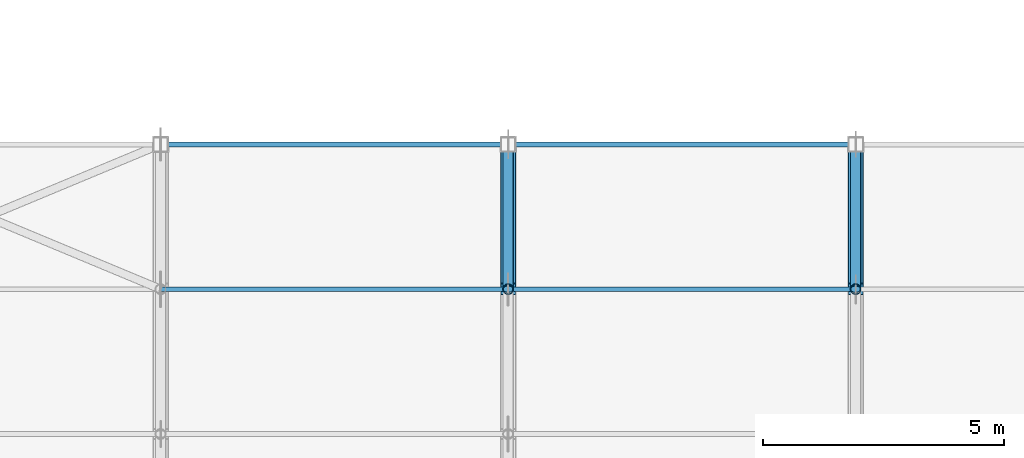
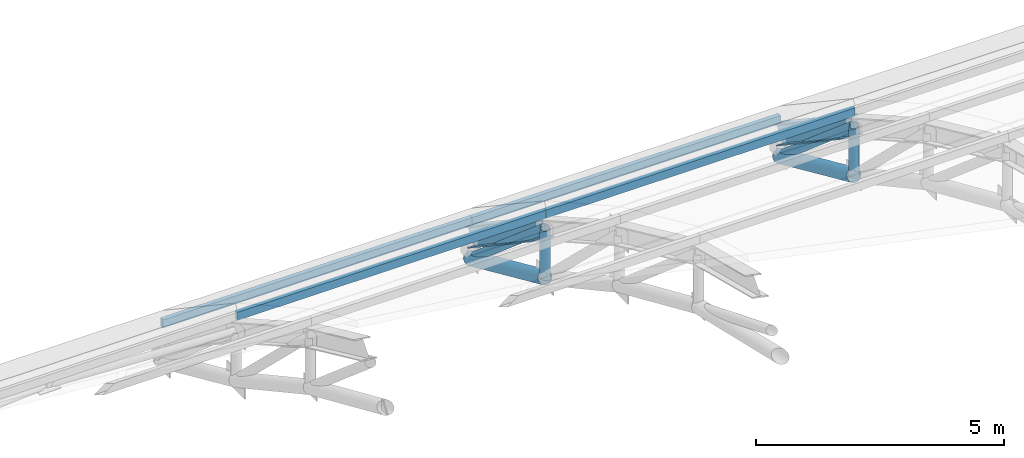
# One storey, part 23 of 63: 10 members, 2 beams.
"""IFC4 building model written with IfcOpenShell, lengths in metres."""

import ifcopenshell
import ifcopenshell.guid

model = None  # the IFC model being written
_history = None  # IfcOwnerHistory: only IFC2X3 demands one
_inside = {}  # id of a spatial element -> (the spatial element, [elements in it])
_under = {}  # id of a project, library or spatial element -> (it, [spatial elements below it])
_declared = {}  # id of a project -> (the project, [libraries it declares])
_typed = {}  # id of a type object -> (the type object, [elements of that type])
_made_of = {}  # id of a material, layer set ... -> (it, [elements and type objects made of it])


def new_model(schema):
    """Start an empty IFC model of exactly this schema.

    Asked for "IFC4X3", IfcOpenShell would pick the latest addendum, in which some entities
    have other attributes; the version numbers below select the first issue.
    IFC2X3 requires an IfcOwnerHistory on every rooted entity: one is made here for all.
    """
    global model, _history
    if schema == "IFC4X3":
        model = ifcopenshell.file(schema_version=(4, 3, 0, 0))
    else:
        model = ifcopenshell.file(schema=schema)
    _inside.clear()
    _under.clear()
    _declared.clear()
    _typed.clear()
    _made_of.clear()
    _history = None
    if model.schema == "IFC2X3":
        org = make("IfcOrganization", Name="unknown")
        user = make(
            "IfcPersonAndOrganization",
            ThePerson=make("IfcPerson", FamilyName="unknown"),
            TheOrganization=org,
        )
        app = make(
            "IfcApplication",
            ApplicationDeveloper=org,
            Version="unknown",
            ApplicationFullName="unknown",
            ApplicationIdentifier="unknown",
        )
        _history = make(
            "IfcOwnerHistory",
            OwningUser=user,
            OwningApplication=app,
            ChangeAction="ADDED",
            CreationDate=0,
        )
    return model


def make(cls, **values):
    """One entity of the class cls with the attributes given. An attribute that is None is left unset."""
    return model.create_entity(
        cls, **{name: value for name, value in values.items() if value is not None}
    )


def rooted(cls, **values):
    """An entity with a GlobalId (a new one), such as an element, a storey or a relation."""
    return make(cls, GlobalId=ifcopenshell.guid.new(), OwnerHistory=_history, **values)


def si_unit(unit_type, name, prefix=None):
    """IfcSIUnit, for example si_unit("LENGTHUNIT", "METRE", prefix="MILLI")."""
    return make("IfcSIUnit", UnitType=unit_type, Prefix=prefix, Name=name)


def assignment(units):
    """IfcUnitAssignment: the units of a project."""
    return None if units is None else make("IfcUnitAssignment", Units=units)


def point(xyz):
    """IfcCartesianPoint."""
    return None if xyz is None else make("IfcCartesianPoint", Coordinates=xyz)


def direction(xyz):
    """IfcDirection."""
    return None if xyz is None else make("IfcDirection", DirectionRatios=xyz)


def frame(location, z_axis=None, x_axis=None):
    """IfcAxis2Placement3D, a coordinate frame: its origin and axes. An axis left out is left unset."""
    return make(
        "IfcAxis2Placement3D",
        Location=point(location),
        Axis=direction(z_axis),
        RefDirection=direction(x_axis),
    )


def frame_2d(location, x_axis=None):
    """IfcAxis2Placement2D, a coordinate frame in the plane: its origin and x axis."""
    return make(
        "IfcAxis2Placement2D", Location=point(location), RefDirection=direction(x_axis)
    )


def origin():
    """The frame at (0, 0, 0) with its axes left unset."""
    return frame((0.0, 0.0, 0.0))


def origin_2d():
    """The frame at (0, 0) in the plane with its x axis left unset."""
    return frame_2d((0.0, 0.0))


def place(relative_to, where):
    """IfcLocalPlacement: puts the frame where relative to a parent placement (None: the world)."""
    return make(
        "IfcLocalPlacement", PlacementRelTo=relative_to, RelativePlacement=where
    )


def context(
    kind, dimensions, precision=None, world=None, true_north=None, identifier=None
):
    """IfcGeometricRepresentationContext, for example the 3D "Model" context."""
    return make(
        "IfcGeometricRepresentationContext",
        ContextIdentifier=identifier,
        ContextType=kind,
        CoordinateSpaceDimension=dimensions,
        Precision=precision,
        WorldCoordinateSystem=world,
        TrueNorth=true_north,
    )


def subcontext(parent, identifier, kind, view, scale=None):
    """IfcGeometricRepresentationSubContext, for example "Body" below "Model"."""
    return make(
        "IfcGeometricRepresentationSubContext",
        ContextIdentifier=identifier,
        ContextType=kind,
        ParentContext=parent,
        TargetScale=scale,
        TargetView=view,
    )


def project(units=None, contexts=None):
    """IfcProject with its units and contexts."""
    return rooted(
        "IfcProject",
        Name="project",
        RepresentationContexts=contexts,
        UnitsInContext=assignment(units),
    )


def spatial(cls, under=None, at=None, **own):
    """A site, building, storey or space (cls), placed at a placement, below another one or the project."""
    s = rooted(cls, ObjectPlacement=at, **own)
    if under is not None:
        _under.setdefault(under.id(), (under, []))[1].append(s)
    return s


def profile(cls, at=None, kind="AREA", **sizes):
    """A parametric profile (cls). Its sizes go by their IFC names, for example OverallWidth=200.0."""
    return make(cls, ProfileType=kind, Position=at, **sizes)


def hollow_rectangle(**sizes):
    """IfcRectangleHollowProfileDef."""
    return profile("IfcRectangleHollowProfileDef", **sizes)


def hollow_circle(**sizes):
    """IfcCircleHollowProfileDef."""
    return profile("IfcCircleHollowProfileDef", **sizes)


def i_section(**sizes):
    """IfcIShapeProfileDef."""
    return profile("IfcIShapeProfileDef", **sizes)


def extrude(swept, where, along, depth):
    """IfcExtrudedAreaSolid: the profile swept, set in the frame where, extruded along a direction by depth."""
    return make(
        "IfcExtrudedAreaSolid",
        SweptArea=swept,
        Position=where,
        ExtrudedDirection=direction(along),
        Depth=depth,
    )


def shape(context_of_items, identifier, shape_type, items):
    """IfcShapeRepresentation: the items that make up one representation, for example the "Body"."""
    return make(
        "IfcShapeRepresentation",
        ContextOfItems=context_of_items,
        RepresentationIdentifier=identifier,
        RepresentationType=shape_type,
        Items=items,
    )


def material(Name=None, Category=None):
    """IfcMaterial."""
    return make("IfcMaterial", Name=Name, Category=Category)


def material_profile(
    of_material, cross_section, Name=None, Category=None, Priority=None
):
    """IfcMaterialProfile: a cross section and its material."""
    return make(
        "IfcMaterialProfile",
        Name=Name,
        Material=of_material,
        Profile=cross_section,
        Priority=Priority,
        Category=Category,
    )


def profile_set(profiles, Name=None, composite=None):
    """IfcMaterialProfileSet."""
    return make(
        "IfcMaterialProfileSet",
        Name=Name,
        MaterialProfiles=profiles,
        CompositeProfile=composite,
    )


def made_of(thing, what):
    """Note that an element or type object is made of a material, layer set ...; save() writes the relation."""
    if what is not None:
        _made_of.setdefault(what.id(), (what, []))[1].append(thing)
    return thing


def type_object(cls, material=None, **own):
    """A type object (cls), such as IfcWallType, which elements share."""
    return made_of(rooted(cls, **own), material)


def element(
    cls,
    number,
    at=None,
    inside=None,
    cuts=None,
    type_object=None,
    material=None,
    context=None,
    identifier="Body",
    shape_type=None,
    held_by="IfcProductDefinitionShape",
    body=None,
    shapes=None,
    **own,
):
    """One element of the class cls, such as IfcWall. Its Tag is "e" and its number.

    at: its placement. inside: the storey or other place that contains it. cuts: it is an
    opening in that element (IfcRelVoidsElement). A single representation is given by context,
    identifier, shape_type and body (its items); several are given by shapes. held_by: the class
    of the entity that holds the representations. save() writes the other relations.
    """
    e = rooted(cls, Tag="e%d" % number, ObjectPlacement=at, **own)
    if body is not None:
        shapes = [shape(context, identifier, shape_type, body)]
    if shapes is not None:
        e.Representation = make(held_by, Representations=shapes)
    if inside is not None:
        _inside.setdefault(inside.id(), (inside, []))[1].append(e)
    if cuts is not None:
        rooted(
            "IfcRelVoidsElement", RelatingBuildingElement=cuts, RelatedOpeningElement=e
        )
    if type_object is not None:
        _typed.setdefault(type_object.id(), (type_object, []))[1].append(e)
    return made_of(e, material)


def aggregate(whole, parts):
    """IfcRelAggregates: a whole, such as a stair, and the parts it consists of."""
    return rooted("IfcRelAggregates", RelatingObject=whole, RelatedObjects=parts)


def save(model, path):
    """Write the relations noted so far, then the file.

    IfcRelAggregates (storeys below a building ...), IfcRelContainedInSpatialStructure (elements
    in a storey), IfcRelDefinesByType, IfcRelAssociatesMaterial and IfcRelDeclares: one each for
    every whole, place, type object, material and project.
    """
    for whole, parts in _under.values():
        aggregate(whole, parts)
    for where, things in _inside.values():
        rooted(
            "IfcRelContainedInSpatialStructure",
            RelatedElements=things,
            RelatingStructure=where,
        )
    for kind, things in _typed.values():
        rooted("IfcRelDefinesByType", RelatedObjects=things, RelatingType=kind)
    for what, things in _made_of.values():
        rooted("IfcRelAssociatesMaterial", RelatedObjects=things, RelatingMaterial=what)
    for by, libraries in _declared.values():
        rooted("IfcRelDeclares", RelatingContext=by, RelatedDefinitions=libraries)
    model.write(path)


model = new_model("IFC4")

# Units and contexts
model_context = context("Model", 3, precision=1e-05, world=origin(), true_north=direction((0.0, 1.0)))
body_context = subcontext(model_context, "Body", "Model", "MODEL_VIEW")
ifc_project = project(units=[si_unit("LENGTHUNIT", "METRE"), si_unit("AREAUNIT", "SQUARE_METRE"), si_unit("VOLUMEUNIT", "CUBIC_METRE"), si_unit("PLANEANGLEUNIT", "RADIAN"), si_unit("MASSUNIT", "GRAM", prefix="KILO")], contexts=[model_context])

# Site, building, storey
site_placement = place(None, origin())
site = spatial("IfcSite", under=ifc_project, at=site_placement, CompositionType="ELEMENT")
building_placement = place(site_placement, origin())
building = spatial("IfcBuilding", under=site, at=building_placement, Name="Solvadek Multi-Sports Hall", CompositionType="ELEMENT")
storey_placement = place(building_placement, frame((0.0, 0.0, 19.199951171875)))
storey = spatial("IfcBuildingStorey", under=building, at=storey_placement, Name="RF", CompositionType="ELEMENT", Elevation=19.199951171875)

# Members
ifc_material_1 = material(Name="Steel E350 (350 MPa)", Category="steel")
ifc_material_profile_1 = material_profile(ifc_material_1, hollow_circle(Radius=0.109619140625, WallThickness=0.010009765625, at=origin_2d()), Name="CHS 219.1x10")
ifc_profile_set_1 = profile_set([ifc_material_profile_1], Name="Steel E350 (350 MPa)")
member_type_1 = type_object("IfcMemberType", Name="STR-BRC-CHS219", PredefinedType="BRACE", material=ifc_profile_set_1)
member_1_placement = place(storey_placement, frame((100.800048828125, 39.0, -2.754150390625), z_axis=(0.0, 0.0, 1.0), x_axis=(1.0, 0.0, 0.0)))
element("IfcMember", 1, at=member_1_placement, inside=storey, type_object=member_type_1, Name="v1 Truss 3 Web Vertical 7", PredefinedType="BRACE", context=body_context, shape_type="SweptSolid", body=[
    extrude(hollow_circle(Radius=0.109619140625, WallThickness=0.010009765625, at=origin_2d()), origin(), (0.0, 0.0, 1.0), 1.20849609375),
])
member_2_placement = place(storey_placement, frame((100.800048828125, 39.0, -1.545654296875), z_axis=(0.0, 0.761413137307, -0.648266946818), x_axis=(-1.0, 0.0, 0.0)))
element("IfcMember", 2, at=member_2_placement, inside=storey, type_object=member_type_1, Name="v1 Truss 3 Web Diagonal 8", PredefinedType="BRACE", context=body_context, shape_type="SweptSolid", body=[
    extrude(hollow_circle(Radius=0.109619140625, WallThickness=0.010009765625, at=origin_2d()), origin(), (0.0, 0.0, 1.0), 3.93994140625),
])
member_3_placement = place(storey_placement, frame((108.0, 39.0, -2.754150390625), z_axis=(0.0, 0.0, 1.0), x_axis=(1.0, 0.0, 0.0)))
element("IfcMember", 3, at=member_3_placement, inside=storey, type_object=member_type_1, Name="v1 Truss 4 Web Vertical 7", PredefinedType="BRACE", context=body_context, shape_type="SweptSolid", body=[
    extrude(hollow_circle(Radius=0.109619140625, WallThickness=0.010009765625, at=origin_2d()), origin(), (0.0, 0.0, 1.0), 1.20849609375),
])
member_4_placement = place(storey_placement, frame((108.0, 39.0, -1.545654296875), z_axis=(0.0, 0.761413137307, -0.648266946818), x_axis=(-1.0, 0.0, 0.0)))
element("IfcMember", 4, at=member_4_placement, inside=storey, type_object=member_type_1, Name="v1 Truss 4 Web Diagonal 8", PredefinedType="BRACE", context=body_context, shape_type="SweptSolid", body=[
    extrude(hollow_circle(Radius=0.109619140625, WallThickness=0.010009765625, at=origin_2d()), origin(), (0.0, 0.0, 1.0), 3.93994140625),
])
ifc_material_profile_2 = material_profile(ifc_material_1, hollow_circle(Radius=0.161865234375, WallThickness=0.012451171875, at=origin_2d()), Name="CHS 323.9x12.5")
ifc_profile_set_2 = profile_set([ifc_material_profile_2], Name="Steel E350 (350 MPa)")
member_type_2 = type_object("IfcMemberType", Name="STR-CHD-CHS323", PredefinedType="CHORD", material=ifc_profile_set_2)
for number, where, z_axis, x_axis, name in (
    (5, (100.800048828125, 39.0, -2.754150390625), (0.0, 0.912409902676, -0.409277619104), (-1.0, 0.0, 0.0), "v1 Arched Truss 3 Bottom Chord 8"),
    (6, (108.0, 39.0, -2.754150390625), (0.0, 0.912409902676, -0.409277619104), (-1.0, 0.0, 0.0), "v1 Arched Truss 4 Bottom Chord 8"),
):
    element("IfcMember", number, at=place(storey_placement, frame(where, z_axis=z_axis, x_axis=x_axis)), inside=storey, type_object=member_type_2, Name=name, PredefinedType="CHORD", context=body_context, shape_type="SweptSolid", body=[
        extrude(hollow_circle(Radius=0.161865234375, WallThickness=0.012451171875, at=origin_2d()), origin(), (0.0, 0.0, 1.0), 3.2880859375),
    ])
ifc_material_2 = material(Name="Steel E250 (250 MPa)", Category="steel")
ifc_material_profile_3 = material_profile(ifc_material_2, hollow_rectangle(XDim=0.10009765625, YDim=0.199951171875, WallThickness=0.008056640625, at=origin_2d()), Name="RHS 200x100x8")
ifc_profile_set_3 = profile_set([ifc_material_profile_3], Name="Steel E250 (250 MPa)")
member_type_3 = type_object("IfcMemberType", Name="STR-PUR-RHS200", PredefinedType="PURLIN", material=ifc_profile_set_3)
for number, where, z_axis, x_axis, name in (
    (7, (93.60009765625, 39.0, -1.171142578125), (1.0, 0.0, 0.0), (0.0, 1.0, 0.0), "V1 Roof Purlin #17"),
    (8, (93.60009765625, 42.0, -3.17529296875), (1.0, 0.0, 0.0), (0.0, 1.0, 0.0), "V1 Roof Purlin #18"),
    (9, (100.800048828125, 39.0, -1.171142578125), (1.0, 0.0, 0.0), (0.0, 1.0, 0.0), "V1 Roof Purlin #26"),
    (10, (100.800048828125, 42.0, -3.17529296875), (1.0, 0.0, 0.0), (0.0, 1.0, 0.0), "V1 Roof Purlin #27"),
):
    element("IfcMember", number, at=place(storey_placement, frame(where, z_axis=z_axis, x_axis=x_axis)), inside=storey, type_object=member_type_3, Name=name, PredefinedType="PURLIN", context=body_context, shape_type="SweptSolid", body=[
        extrude(hollow_rectangle(XDim=0.10009765625, YDim=0.199951171875, WallThickness=0.008056640625, at=origin_2d()), origin(), (0.0, 0.0, 1.0), 7.199951171875),
    ])

# Beams
ifc_material_profile_4 = material_profile(ifc_material_1, i_section(OverallWidth=0.300048828125, OverallDepth=0.449951171875, WebThickness=0.013916015625, FlangeThickness=0.02587890625, at=origin_2d()), Name="WPB 450")
ifc_profile_set_4 = profile_set([ifc_material_profile_4], Name="Steel E350 (350 MPa)")
beam_type = type_object("IfcBeamType", Name="STR-TRS-WPB450", PredefinedType="USERDEFINED", material=ifc_profile_set_4)
for number, where, z_axis, x_axis, name in (
    (11, (100.800048828125, 39.0, -1.545654296875), (0.0, 0.831487713405, -0.55554314185), (-1.0, 0.0, 0.0), "v1 Arched Truss 3 Top Chord 8"),
    (12, (108.0, 39.0, -1.545654296875), (0.0, 0.831487713405, -0.55554314185), (-1.0, 0.0, 0.0), "v1 Arched Truss 4 Top Chord 8"),
):
    element("IfcBeam", number, at=place(storey_placement, frame(where, z_axis=z_axis, x_axis=x_axis)), inside=storey, type_object=beam_type, Name=name, ObjectType="ROOF TRUSS", PredefinedType="USERDEFINED", context=body_context, shape_type="SweptSolid", body=[
        extrude(i_section(OverallWidth=0.300048828125, OverallDepth=0.449951171875, WebThickness=0.013916015625, FlangeThickness=0.02587890625, at=origin_2d()), origin(), (0.0, 0.0, 1.0), 3.60791015625),
    ])

save(model, "model.ifc")
